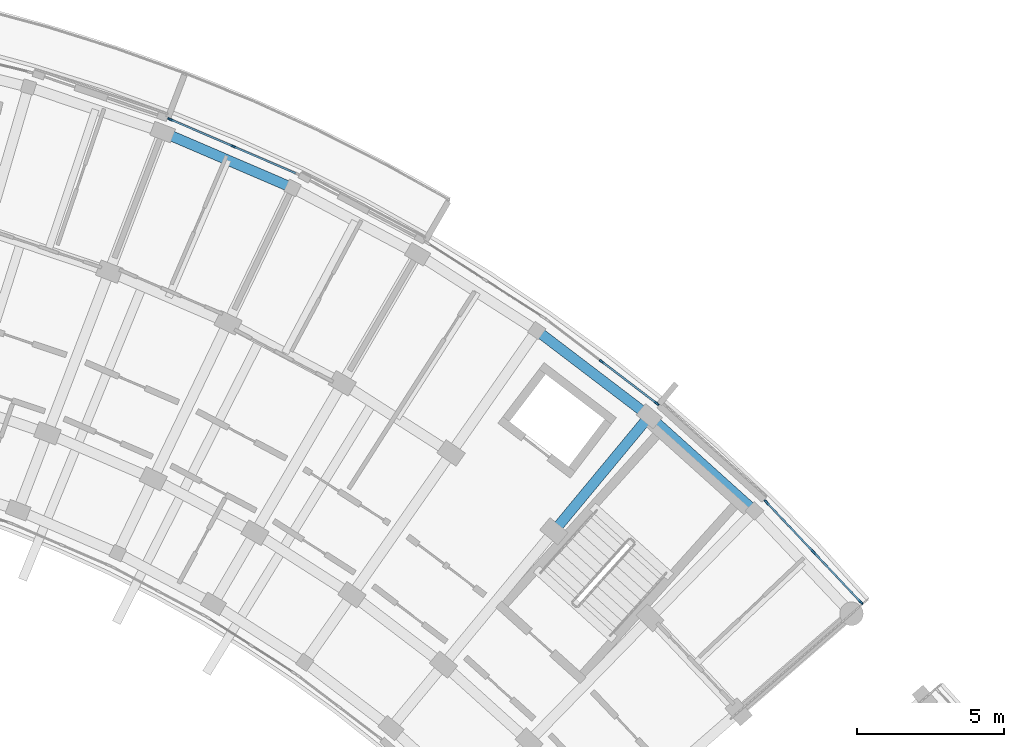
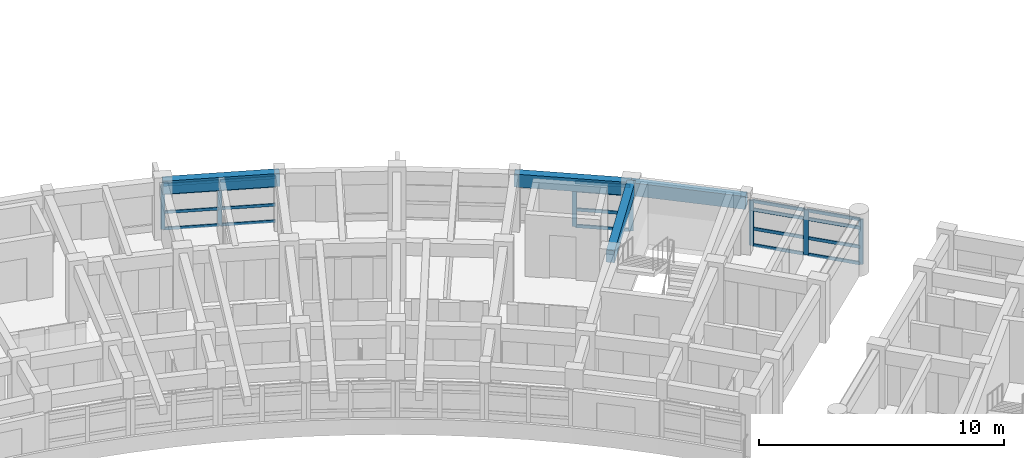
# One storey, part 16 of 54: 27 members, 4 beams, 3 elements without a shape of their own.
"""IFC4 building model written with IfcOpenShell, lengths in metres."""

from ifc_helpers import new_model, si_unit, direction, frame, origin, origin_2d, place, context, subcontext, project, spatial, rectangle, extrude, material, material_profile, profile_set, type_object, element, aggregate, save


model = new_model("IFC4")

# Units and contexts
model_context = context("Model", 3, precision=1e-05, world=origin(), true_north=direction((0.0, 1.0)))
body_context = subcontext(model_context, "Body", "Model", "MODEL_VIEW")
ifc_project = project(units=[si_unit("LENGTHUNIT", "METRE"), si_unit("AREAUNIT", "SQUARE_METRE"), si_unit("VOLUMEUNIT", "CUBIC_METRE"), si_unit("PLANEANGLEUNIT", "RADIAN"), si_unit("MASSUNIT", "GRAM", prefix="KILO")], contexts=[model_context])

# Site, building, storey
site_placement = place(None, origin())
site = spatial("IfcSite", under=ifc_project, at=site_placement, CompositionType="ELEMENT")
building_placement = place(site_placement, origin())
building = spatial("IfcBuilding", under=site, at=building_placement, Name="Zimvara Arc Housing Community", CompositionType="ELEMENT")
storey_placement = place(building_placement, frame((0.0, 0.0, 20.5)))
storey = spatial("IfcBuildingStorey", under=building, at=storey_placement, Name="L06", CompositionType="ELEMENT", Elevation=20.5)

# Beams
ifc_material_1 = material(Name="Concrete C40/50", Category="concrete")
ifc_material_profile_1 = material_profile(ifc_material_1, rectangle(XDim=0.35009765625, YDim=0.60009765625, at=origin_2d()), Name="RC 350x600")
ifc_profile_set_1 = profile_set([ifc_material_profile_1], Name="Concrete C40/50")
beam_type_1 = type_object("IfcBeamType", Name="BM-RC-350x600", PredefinedType="BEAM", material=ifc_profile_set_1)
beam_1_placement = place(storey_placement, frame((79.322265625, 85.9296875, 2.56005859375), z_axis=(0.637983669165, 0.77004989311, 0.0), x_axis=(-0.77004989311, 0.637983669165, 0.0)))
element("IfcBeam", 1, at=beam_1_placement, inside=storey, type_object=beam_type_1, Name="bm:blkB:L06:rad:b8:r23", PredefinedType="BEAM", context=body_context, shape_type="SweptSolid", body=[
    extrude(rectangle(XDim=0.35009765625, YDim=0.60009765625, at=origin_2d()), origin(), (0.0, 0.0, 1.0), 5.080078125),
])
ifc_material_2 = material(Name="Concrete C40/50", Category="concrete")
ifc_material_profile_2 = material_profile(ifc_material_2, rectangle(XDim=0.35009765625, YDim=0.64990234375, at=origin_2d()), Name="RC 350x650")
ifc_profile_set_2 = profile_set([ifc_material_profile_2], Name="Concrete C40/50")
beam_type_2 = type_object("IfcBeamType", Name="BM-RC-350x650", PredefinedType="BEAM", material=ifc_profile_set_2)
for number, where, z_axis, x_axis, name in (
    (2, (66.02392578125, 99.49853515625, 2.534912109375), (0.918724276228, -0.394899612901, 0.0), (0.394899612901, 0.918724276228, 0.0), "bm:blkB:L06:chord:r3:b4"),
    (3, (78.738525390625, 92.755126953125, 2.534912109375), (0.795480673672, -0.605978958228, 0.0), (0.605978958228, 0.795480673672, 0.0), "bm:blkB:L06:chord:r3:b7"),
):
    element("IfcBeam", number, at=place(storey_placement, frame(where, z_axis=z_axis, x_axis=x_axis)), inside=storey, type_object=beam_type_2, Name=name, PredefinedType="BEAM", context=body_context, shape_type="SweptSolid", body=[
        extrude(rectangle(XDim=0.35009765625, YDim=0.64990234375, at=origin_2d()), origin(), (0.0, 0.0, 1.0), 4.80810546875),
    ])
beam_2_placement = place(storey_placement, frame((82.563232421875, 89.841552734375, 2.534912109375), z_axis=(0.743395133402, -0.668852506637, 0.0), x_axis=(0.668852506637, 0.743395133402, 0.0)))
element("IfcBeam", 4, at=beam_2_placement, inside=storey, type_object=beam_type_2, Name="bm:blkB:L06:chord:r3:b8", PredefinedType="BEAM", context=body_context, shape_type="SweptSolid", body=[
    extrude(rectangle(XDim=0.35009765625, YDim=0.64990234375, at=origin_2d()), origin(), (0.0, 0.0, 1.0), 4.807861328125),
])

# Curtain wall, members
ifc_material_3 = material(Name="Anodised Aluminium AW-6063", Category="aluminium")
curtain_wall_type_1 = type_object("IfcCurtainWallType", Name="CW-SYS-06", PredefinedType="USERDEFINED", material=ifc_material_3)
curtain_wall_1_placement = place(storey_placement, origin())
curtain_wall_1 = element("IfcCurtainWall", 5, at=curtain_wall_1_placement, inside=storey, type_object=curtain_wall_type_1, Name="cw:blkB:L06:out:b4", ObjectType="CURTAIN WALL", PredefinedType="USERDEFINED")
ifc_material_4 = material(Name="Anodised Aluminium AW-6063", Category="aluminium")
ifc_material_profile_3 = material_profile(ifc_material_4, rectangle(XDim=0.06494140625, YDim=0.179931640625, at=origin_2d()), Name="ALU 65x180")
ifc_profile_set_3 = profile_set([ifc_material_profile_3], Name="Anodised Aluminium AW-6063")
member_type_1 = type_object("IfcMemberType", Name="CWM-65x150", PredefinedType="MULLION", material=ifc_profile_set_3)
member_1_placement = place(storey_placement, frame((66.287353515625, 99.92919921875, 0.0), z_axis=(0.0, 0.0, 1.0), x_axis=(0.394904211998, 0.918722299363, 0.0)))
member_1 = element("IfcMember", 6, at=member_1_placement, type_object=member_type_1, Name="CW06 mullion 1", PredefinedType="MULLION", context=body_context, shape_type="SweptSolid", body=[
    extrude(rectangle(XDim=0.06494140625, YDim=0.179931640625, at=origin_2d()), origin(), (0.0, 0.0, 1.0), 2.25),
])
member_2_placement = place(storey_placement, frame((68.429931640625, 99.00830078125, 0.0), z_axis=(0.0, 0.0, 1.0), x_axis=(0.394904211998, 0.918722299363, 0.0)))
member_2 = element("IfcMember", 7, at=member_2_placement, type_object=member_type_1, Name="CW06 mullion 2", PredefinedType="MULLION", context=body_context, shape_type="SweptSolid", body=[
    extrude(rectangle(XDim=0.06494140625, YDim=0.179931640625, at=origin_2d()), origin(), (0.0, 0.0, 1.0), 2.25),
])

ifc_material_5 = material(Name="Anodised Aluminium AW-6063", Category="aluminium")
curtain_wall_type_2 = type_object("IfcCurtainWallType", Name="CW-SYS-03", PredefinedType="USERDEFINED", material=ifc_material_5)
curtain_wall_2_placement = place(storey_placement, origin())
curtain_wall_2 = element("IfcCurtainWall", 8, at=curtain_wall_2_placement, inside=storey, type_object=curtain_wall_type_2, Name="cw:blkB:L06:out:b7", ObjectType="CURTAIN WALL", PredefinedType="USERDEFINED")
ifc_material_6 = material(Name="Anodised Aluminium AW-6063", Category="aluminium")
ifc_material_profile_4 = material_profile(ifc_material_6, rectangle(XDim=0.06494140625, YDim=0.195068359375, at=origin_2d()), Name="ALU 65x195")
ifc_profile_set_4 = profile_set([ifc_material_profile_4], Name="Anodised Aluminium AW-6063")
member_type_2 = type_object("IfcMemberType", Name="CWM-65x180", PredefinedType="MULLION", material=ifc_profile_set_4)
member_3_placement = place(storey_placement, frame((80.95361328125, 91.69580078125, 0.0), z_axis=(0.0, 0.0, 1.0), x_axis=(0.60598771987, 0.795473999177, 0.0)))
member_3 = element("IfcMember", 9, at=member_3_placement, type_object=member_type_2, Name="CW03 mullion 2", PredefinedType="MULLION", context=body_context, shape_type="SweptSolid", body=[
    extrude(rectangle(XDim=0.06494140625, YDim=0.195068359375, at=origin_2d()), origin(), (0.0, 0.0, 1.0), 2.25),
])
member_4_placement = place(storey_placement, frame((82.80859375, 90.28271484375, 0.0), z_axis=(0.0, 0.0, 1.0), x_axis=(0.60598771987, 0.795473999177, 0.0)))
member_4 = element("IfcMember", 10, at=member_4_placement, type_object=member_type_2, Name="CW03 mullion 3", PredefinedType="MULLION", context=body_context, shape_type="SweptSolid", body=[
    extrude(rectangle(XDim=0.06494140625, YDim=0.195068359375, at=origin_2d()), origin(), (0.0, 0.0, 1.0), 2.25),
])

ifc_material_7 = material(Name="Anodised Aluminium AW-6063", Category="aluminium")
curtain_wall_type_3 = type_object("IfcCurtainWallType", Name="CW-SYS-05", PredefinedType="USERDEFINED", material=ifc_material_7)
curtain_wall_3_placement = place(storey_placement, origin())
curtain_wall_3 = element("IfcCurtainWall", 11, at=curtain_wall_3_placement, inside=storey, type_object=curtain_wall_type_3, Name="cw:blkB:L06:out:b9", ObjectType="CURTAIN WALL", PredefinedType="USERDEFINED")
member_5_placement = place(storey_placement, frame((86.55029296875, 86.916015625, 0.0), z_axis=(0.0, 0.0, 1.0), x_axis=(0.727293647725, 0.686326416495, 0.0)))
member_5 = element("IfcMember", 12, at=member_5_placement, type_object=member_type_2, Name="CW05 mullion 1", PredefinedType="MULLION", context=body_context, shape_type="SweptSolid", body=[
    extrude(rectangle(XDim=0.06494140625, YDim=0.195068359375, at=origin_2d()), origin(), (0.0, 0.0, 1.0), 2.25),
])
member_6_placement = place(storey_placement, frame((88.150634765625, 85.219970703125, 0.0), z_axis=(0.0, 0.0, 1.0), x_axis=(0.727293647725, 0.686326416495, 0.0)))
member_6 = element("IfcMember", 13, at=member_6_placement, type_object=member_type_2, Name="CW05 mullion 2", PredefinedType="MULLION", context=body_context, shape_type="SweptSolid", body=[
    extrude(rectangle(XDim=0.06494140625, YDim=0.195068359375, at=origin_2d()), origin(), (0.0, 0.0, 1.0), 2.25),
])
member_7_placement = place(storey_placement, frame((89.751220703125, 83.524169921875, 0.0), z_axis=(0.0, 0.0, 1.0), x_axis=(0.727293647725, 0.686326416495, 0.0)))
member_7 = element("IfcMember", 14, at=member_7_placement, type_object=member_type_2, Name="CW05 mullion 3", PredefinedType="MULLION", context=body_context, shape_type="SweptSolid", body=[
    extrude(rectangle(XDim=0.06494140625, YDim=0.195068359375, at=origin_2d()), origin(), (0.0, 0.0, 1.0), 2.25),
])

# Member
ifc_material_8 = material(Name="Anodised Aluminium AW-6063", Category="aluminium")
ifc_material_profile_5 = material_profile(ifc_material_8, rectangle(XDim=0.06494140625, YDim=0.139892578125, at=origin_2d()), Name="ALU 65x140")
ifc_profile_set_5 = profile_set([ifc_material_profile_5], Name="Anodised Aluminium AW-6063")
member_type_3 = type_object("IfcMemberType", Name="CWT-65x120", PredefinedType="USERDEFINED", material=ifc_profile_set_5)
member_8_placement = place(storey_placement, frame((66.3173828125, 99.916259765625, 0.032470703125), z_axis=(0.918704360712, -0.394945942641, 0.0), x_axis=(0.394945942641, 0.918704360712, 0.0)))
member_8 = element("IfcMember", 15, at=member_8_placement, type_object=member_type_3, Name="CW06 transom 1.1", ObjectType="TRANSOM", PredefinedType="USERDEFINED", context=body_context, shape_type="SweptSolid", body=[
    extrude(rectangle(XDim=0.06494140625, YDim=0.139892578125, at=origin_2d()), origin(), (0.0, 0.0, 1.0), 2.266845703125),
])

member_9_placement = place(storey_placement, frame((66.3173828125, 99.916259765625, 0.85009765625), z_axis=(0.918704360712, -0.394945942641, 0.0), x_axis=(0.394945942641, 0.918704360712, 0.0)))
member_9 = element("IfcMember", 16, at=member_9_placement, type_object=member_type_3, Name="CW06 transom 1.2", ObjectType="TRANSOM", PredefinedType="USERDEFINED", context=body_context, shape_type="SweptSolid", body=[
    extrude(rectangle(XDim=0.06494140625, YDim=0.139892578125, at=origin_2d()), origin(), (0.0, 0.0, 1.0), 2.266845703125),
])

member_10_placement = place(storey_placement, frame((66.3173828125, 99.916259765625, 1.800048828125), z_axis=(0.918704360712, -0.394945942641, 0.0), x_axis=(0.394945942641, 0.918704360712, 0.0)))
member_10 = element("IfcMember", 17, at=member_10_placement, type_object=member_type_3, Name="CW06 transom 1.3", ObjectType="TRANSOM", PredefinedType="USERDEFINED", context=body_context, shape_type="SweptSolid", body=[
    extrude(rectangle(XDim=0.06494140625, YDim=0.139892578125, at=origin_2d()), origin(), (0.0, 0.0, 1.0), 2.266845703125),
])

member_11_placement = place(storey_placement, frame((66.3173828125, 99.916259765625, 2.217529296875), z_axis=(0.918704360712, -0.394945942641, 0.0), x_axis=(0.394945942641, 0.918704360712, 0.0)))
member_11 = element("IfcMember", 18, at=member_11_placement, type_object=member_type_3, Name="CW06 transom 1.4", ObjectType="TRANSOM", PredefinedType="USERDEFINED", context=body_context, shape_type="SweptSolid", body=[
    extrude(rectangle(XDim=0.06494140625, YDim=0.139892578125, at=origin_2d()), origin(), (0.0, 0.0, 1.0), 2.266845703125),
])

member_12_placement = place(storey_placement, frame((68.459716796875, 98.995361328125, 0.032470703125), z_axis=(0.918721157939, -0.394906867444, 0.0), x_axis=(0.394906867444, 0.918721157939, 0.0)))
member_12 = element("IfcMember", 19, at=member_12_placement, type_object=member_type_3, Name="CW06 transom 2.1", ObjectType="TRANSOM", PredefinedType="USERDEFINED", context=body_context, shape_type="SweptSolid", body=[
    extrude(rectangle(XDim=0.06494140625, YDim=0.139892578125, at=origin_2d()), origin(), (0.0, 0.0, 1.0), 2.26708984375),
])

member_13_placement = place(storey_placement, frame((68.459716796875, 98.995361328125, 0.85009765625), z_axis=(0.918721157939, -0.394906867444, 0.0), x_axis=(0.394906867444, 0.918721157939, 0.0)))
member_13 = element("IfcMember", 20, at=member_13_placement, type_object=member_type_3, Name="CW06 transom 2.2", ObjectType="TRANSOM", PredefinedType="USERDEFINED", context=body_context, shape_type="SweptSolid", body=[
    extrude(rectangle(XDim=0.06494140625, YDim=0.139892578125, at=origin_2d()), origin(), (0.0, 0.0, 1.0), 2.26708984375),
])

member_14_placement = place(storey_placement, frame((68.459716796875, 98.995361328125, 1.800048828125), z_axis=(0.918721157939, -0.394906867444, 0.0), x_axis=(0.394906867444, 0.918721157939, 0.0)))
member_14 = element("IfcMember", 21, at=member_14_placement, type_object=member_type_3, Name="CW06 transom 2.3", ObjectType="TRANSOM", PredefinedType="USERDEFINED", context=body_context, shape_type="SweptSolid", body=[
    extrude(rectangle(XDim=0.06494140625, YDim=0.139892578125, at=origin_2d()), origin(), (0.0, 0.0, 1.0), 2.26708984375),
])

member_15_placement = place(storey_placement, frame((68.459716796875, 98.995361328125, 2.217529296875), z_axis=(0.918721157939, -0.394906867444, 0.0), x_axis=(0.394906867444, 0.918721157939, 0.0)))
member_15 = element("IfcMember", 22, at=member_15_placement, type_object=member_type_3, Name="CW06 transom 2.4", ObjectType="TRANSOM", PredefinedType="USERDEFINED", context=body_context, shape_type="SweptSolid", body=[
    extrude(rectangle(XDim=0.06494140625, YDim=0.139892578125, at=origin_2d()), origin(), (0.0, 0.0, 1.0), 2.26708984375),
])

aggregate(curtain_wall_1, [member_1, member_2, member_8, member_9, member_10, member_11, member_12, member_13, member_14, member_15])

ifc_material_9 = material(Name="Anodised Aluminium AW-6063", Category="aluminium")
ifc_material_profile_6 = material_profile(ifc_material_9, rectangle(XDim=0.06494140625, YDim=0.155029296875, at=origin_2d()), Name="ALU 65x155")
ifc_profile_set_6 = profile_set([ifc_material_profile_6], Name="Anodised Aluminium AW-6063")
member_type_4 = type_object("IfcMemberType", Name="CWT-65x140", PredefinedType="USERDEFINED", material=ifc_profile_set_6)
member_16_placement = place(storey_placement, frame((80.9794921875, 91.676025390625, 0.032470703125), z_axis=(0.795505886513, -0.605945859399, 0.0), x_axis=(0.605945859399, 0.795505886513, 0.0)))
member_16 = element("IfcMember", 23, at=member_16_placement, type_object=member_type_4, Name="CW03 transom 2.1", ObjectType="TRANSOM", PredefinedType="USERDEFINED", context=body_context, shape_type="SweptSolid", body=[
    extrude(rectangle(XDim=0.06494140625, YDim=0.155029296875, at=origin_2d()), origin(), (0.0, 0.0, 1.0), 2.266845703125),
])

member_17_placement = place(storey_placement, frame((80.9794921875, 91.676025390625, 0.85009765625), z_axis=(0.795505886513, -0.605945859399, 0.0), x_axis=(0.605945859399, 0.795505886513, 0.0)))
member_17 = element("IfcMember", 24, at=member_17_placement, type_object=member_type_4, Name="CW03 transom 2.2", ObjectType="TRANSOM", PredefinedType="USERDEFINED", context=body_context, shape_type="SweptSolid", body=[
    extrude(rectangle(XDim=0.06494140625, YDim=0.155029296875, at=origin_2d()), origin(), (0.0, 0.0, 1.0), 2.266845703125),
])

member_18_placement = place(storey_placement, frame((80.9794921875, 91.676025390625, 1.800048828125), z_axis=(0.795505886513, -0.605945859399, 0.0), x_axis=(0.605945859399, 0.795505886513, 0.0)))
member_18 = element("IfcMember", 25, at=member_18_placement, type_object=member_type_4, Name="CW03 transom 2.3", ObjectType="TRANSOM", PredefinedType="USERDEFINED", context=body_context, shape_type="SweptSolid", body=[
    extrude(rectangle(XDim=0.06494140625, YDim=0.155029296875, at=origin_2d()), origin(), (0.0, 0.0, 1.0), 2.266845703125),
])

member_19_placement = place(storey_placement, frame((80.9794921875, 91.676025390625, 2.217529296875), z_axis=(0.795505886513, -0.605945859399, 0.0), x_axis=(0.605945859399, 0.795505886513, 0.0)))
member_19 = element("IfcMember", 26, at=member_19_placement, type_object=member_type_4, Name="CW03 transom 2.4", ObjectType="TRANSOM", PredefinedType="USERDEFINED", context=body_context, shape_type="SweptSolid", body=[
    extrude(rectangle(XDim=0.06494140625, YDim=0.155029296875, at=origin_2d()), origin(), (0.0, 0.0, 1.0), 2.266845703125),
])

aggregate(curtain_wall_2, [member_3, member_4, member_16, member_17, member_18, member_19])

member_20_placement = place(storey_placement, frame((86.572509765625, 86.892333984375, 0.032470703125), z_axis=(0.686348357589, -0.727272941911, 0.0), x_axis=(0.727272941911, 0.686348357589, 0.0)))
member_20 = element("IfcMember", 27, at=member_20_placement, type_object=member_type_4, Name="CW05 transom 1.1", ObjectType="TRANSOM", PredefinedType="USERDEFINED", context=body_context, shape_type="SweptSolid", body=[
    extrude(rectangle(XDim=0.06494140625, YDim=0.155029296875, at=origin_2d()), origin(), (0.0, 0.0, 1.0), 2.266845703125),
])

member_21_placement = place(storey_placement, frame((86.572509765625, 86.892333984375, 0.85009765625), z_axis=(0.686348357589, -0.727272941911, 0.0), x_axis=(0.727272941911, 0.686348357589, 0.0)))
member_21 = element("IfcMember", 28, at=member_21_placement, type_object=member_type_4, Name="CW05 transom 1.2", ObjectType="TRANSOM", PredefinedType="USERDEFINED", context=body_context, shape_type="SweptSolid", body=[
    extrude(rectangle(XDim=0.06494140625, YDim=0.155029296875, at=origin_2d()), origin(), (0.0, 0.0, 1.0), 2.266845703125),
])

member_22_placement = place(storey_placement, frame((86.572509765625, 86.892333984375, 1.800048828125), z_axis=(0.686348357589, -0.727272941911, 0.0), x_axis=(0.727272941911, 0.686348357589, 0.0)))
member_22 = element("IfcMember", 29, at=member_22_placement, type_object=member_type_4, Name="CW05 transom 1.3", ObjectType="TRANSOM", PredefinedType="USERDEFINED", context=body_context, shape_type="SweptSolid", body=[
    extrude(rectangle(XDim=0.06494140625, YDim=0.155029296875, at=origin_2d()), origin(), (0.0, 0.0, 1.0), 2.266845703125),
])

member_23_placement = place(storey_placement, frame((86.572509765625, 86.892333984375, 2.217529296875), z_axis=(0.686348357589, -0.727272941911, 0.0), x_axis=(0.727272941911, 0.686348357589, 0.0)))
member_23 = element("IfcMember", 30, at=member_23_placement, type_object=member_type_4, Name="CW05 transom 1.4", ObjectType="TRANSOM", PredefinedType="USERDEFINED", context=body_context, shape_type="SweptSolid", body=[
    extrude(rectangle(XDim=0.06494140625, YDim=0.155029296875, at=origin_2d()), origin(), (0.0, 0.0, 1.0), 2.266845703125),
])

member_24_placement = place(storey_placement, frame((88.173095703125, 85.196533203125, 0.032470703125), z_axis=(0.68623762882, -0.727377423894, 0.0), x_axis=(0.727377423894, 0.68623762882, 0.0)))
member_24 = element("IfcMember", 31, at=member_24_placement, type_object=member_type_4, Name="CW05 transom 2.1", ObjectType="TRANSOM", PredefinedType="USERDEFINED", context=body_context, shape_type="SweptSolid", body=[
    extrude(rectangle(XDim=0.06494140625, YDim=0.155029296875, at=origin_2d()), origin(), (0.0, 0.0, 1.0), 2.266845703125),
])

member_25_placement = place(storey_placement, frame((88.173095703125, 85.196533203125, 0.85009765625), z_axis=(0.68623762882, -0.727377423894, 0.0), x_axis=(0.727377423894, 0.68623762882, 0.0)))
member_25 = element("IfcMember", 32, at=member_25_placement, type_object=member_type_4, Name="CW05 transom 2.2", ObjectType="TRANSOM", PredefinedType="USERDEFINED", context=body_context, shape_type="SweptSolid", body=[
    extrude(rectangle(XDim=0.06494140625, YDim=0.155029296875, at=origin_2d()), origin(), (0.0, 0.0, 1.0), 2.266845703125),
])

member_26_placement = place(storey_placement, frame((88.173095703125, 85.196533203125, 1.800048828125), z_axis=(0.68623762882, -0.727377423894, 0.0), x_axis=(0.727377423894, 0.68623762882, 0.0)))
member_26 = element("IfcMember", 33, at=member_26_placement, type_object=member_type_4, Name="CW05 transom 2.3", ObjectType="TRANSOM", PredefinedType="USERDEFINED", context=body_context, shape_type="SweptSolid", body=[
    extrude(rectangle(XDim=0.06494140625, YDim=0.155029296875, at=origin_2d()), origin(), (0.0, 0.0, 1.0), 2.266845703125),
])

member_27_placement = place(storey_placement, frame((88.173095703125, 85.196533203125, 2.217529296875), z_axis=(0.68623762882, -0.727377423894, 0.0), x_axis=(0.727377423894, 0.68623762882, 0.0)))
member_27 = element("IfcMember", 34, at=member_27_placement, type_object=member_type_4, Name="CW05 transom 2.4", ObjectType="TRANSOM", PredefinedType="USERDEFINED", context=body_context, shape_type="SweptSolid", body=[
    extrude(rectangle(XDim=0.06494140625, YDim=0.155029296875, at=origin_2d()), origin(), (0.0, 0.0, 1.0), 2.266845703125),
])

aggregate(curtain_wall_3, [member_5, member_6, member_7, member_20, member_21, member_22, member_23, member_24, member_25, member_26, member_27])

save(model, "model.ifc")
